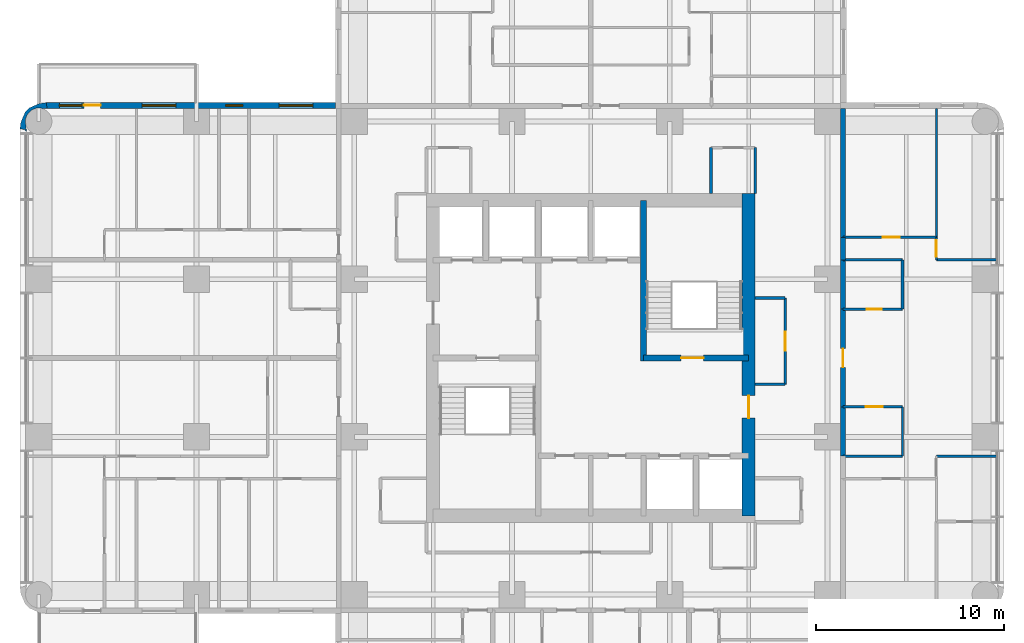
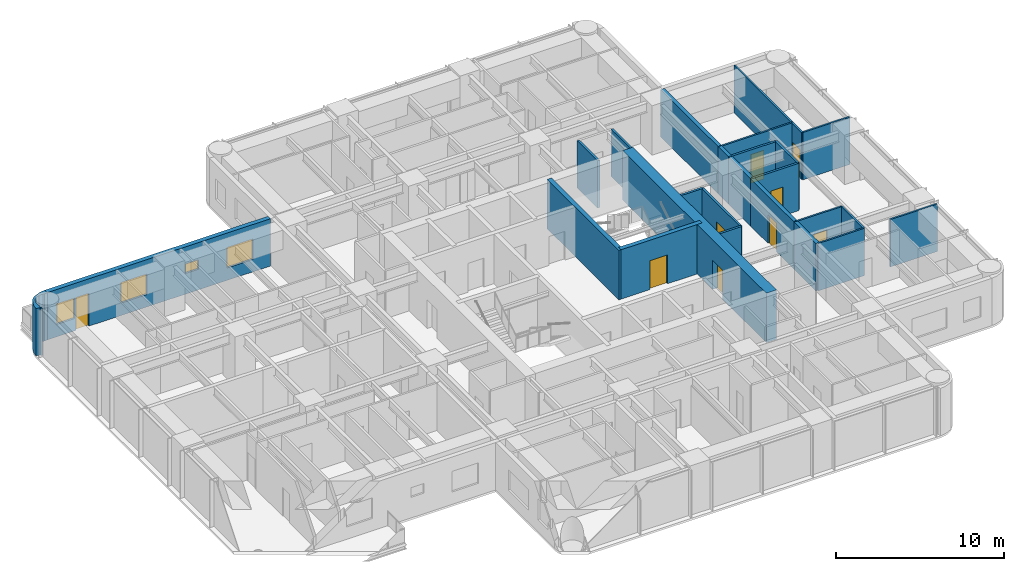
# One storey, part 8 of 11: 26 walls, 9 doors, 4 windows, 13 openings.
"""IFC4 building model written with IfcOpenShell, lengths in metres."""

from ifc_helpers import new_model, si_unit, direction, frame, frame_2d, origin, place, context, subcontext, project, spatial, polyline, rectangle, outline, extrude, material, layer, layer_set, type_object, element, fill, save


model = new_model("IFC4")

# Units and contexts
model_context = context("Model", 3, precision=1e-05, world=origin(), true_north=direction((0.0, 1.0)))
body_context = subcontext(model_context, "Body", "Model", "MODEL_VIEW")
ifc_project = project(units=[si_unit("LENGTHUNIT", "METRE"), si_unit("AREAUNIT", "SQUARE_METRE"), si_unit("VOLUMEUNIT", "CUBIC_METRE"), si_unit("PLANEANGLEUNIT", "RADIAN"), si_unit("MASSUNIT", "GRAM", prefix="KILO")], contexts=[model_context])

# Site, building, storey
site_placement = place(None, origin())
site = spatial("IfcSite", under=ifc_project, at=site_placement, CompositionType="ELEMENT")
building_placement = place(site_placement, origin())
building = spatial("IfcBuilding", under=site, at=building_placement, Name="Torre Alcanfor", CompositionType="ELEMENT")
storey_placement = place(building_placement, frame((0.0, 0.0, 237.300048828125)))
storey = spatial("IfcBuildingStorey", under=building, at=storey_placement, Name="L62", CompositionType="ELEMENT", Elevation=237.300048828125)

# Wall, opening, door
ifc_material_1 = material(Name="Concrete block masonry, hollow blocks NMX-C-404 9 MPa", Category="masonry")
ifc_layer_1 = layer(ifc_material_1, 0.25)
ifc_layer_set_1 = layer_set([ifc_layer_1], Name="Apartment entrance wall 250 EI 60")
wall_type_1 = type_object("IfcWallType", Name="Apartment entrance wall 250 EI 60", PredefinedType="PARTITIONING", material=ifc_layer_set_1)
wall_1_placement = place(storey_placement, frame((42.824951171875, 32.0, 0.0), z_axis=(0.0, 0.0, 1.0), x_axis=(0.0, -1.0, 0.0)))
wall_1 = element("IfcWall", 1, at=wall_1_placement, inside=storey, type_object=wall_type_1, Name="Partition L62-CORR / L62-EX-ZAG", PredefinedType="PARTITIONING", context=body_context, shape_type="SweptSolid", body=[
    extrude(rectangle(XDim=5.199951171875, YDim=0.25, at=frame_2d((2.60009765625, 0.0))), origin(), (0.0, 0.0, 1.0), 3.449951171875),
])
opening_1_placement = place(wall_1_placement, frame((2.10009765625, 0.0, 0.0)))
opening_1 = element("IfcOpeningElement", 2, at=opening_1_placement, cuts=wall_1, Name="Opening D-A1", PredefinedType="OPENING", context=body_context, shape_type="SweptSolid", body=[
    extrude(rectangle(XDim=1.0, YDim=2.10009765625, at=frame_2d((0.5, 1.050048828125))), frame((0.0, 0.135009765625, 0.0), z_axis=(0.0, -1.0, 0.0), x_axis=(1.0, 0.0, 0.0)), (0.0, 0.0, 1.0), 0.27001953125),
])
ifc_material_2 = material(Name="Galvanised steel sheet ASTM A653", Category="steel")
door_type_1 = type_object("IfcDoorType", Name="Apartment entrance door FD60 1000x2100", OperationType="SINGLE_SWING_LEFT", PredefinedType="DOOR", material=ifc_material_2)
door_1_placement = place(opening_1_placement, origin())
door_1 = element("IfcDoor", 3, at=door_1_placement, inside=storey, type_object=door_type_1, Name="Apartment entrance L62-EX", OperationType="SINGLE_SWING_LEFT", OverallHeight=2.10009765625, OverallWidth=1.0, PredefinedType="DOOR", context=body_context, shape_type="SweptSolid", body=[
    extrude(rectangle(XDim=1.0, YDim=2.10009765625, at=frame_2d((0.5, 1.050048828125))), frame((0.0, 0.02490234375, 0.0), z_axis=(0.0, -1.0, 0.0), x_axis=(1.0, 0.0, 0.0)), (0.0, 0.0, 1.0), 0.050048828125),
])
fill(opening_1, door_1)

# Walls
wall_2_placement = place(storey_placement, frame((42.824951171875, 34.62890625, 0.0), z_axis=(0.0, 0.0, 1.0), x_axis=(0.0, -1.0, 0.0)))
element("IfcWall", 4, at=wall_2_placement, inside=storey, type_object=wall_type_1, Name="Partition L62-CORR / L62-EX-BATH2", PredefinedType="PARTITIONING", context=body_context, shape_type="SweptSolid", body=[
    extrude(rectangle(XDim=2.62890625, YDim=0.25, at=frame_2d((1.314453125, 0.0))), origin(), (0.0, 0.0, 1.0), 3.449951171875),
])
wall_3_placement = place(storey_placement, frame((42.824951171875, 26.800048828125, 0.0), z_axis=(0.0, 0.0, 1.0), x_axis=(0.0, -1.0, 0.0)))
element("IfcWall", 5, at=wall_3_placement, inside=storey, type_object=wall_type_1, Name="Partition L62-CORR / L62-EX-KITCHEN", PredefinedType="PARTITIONING", context=body_context, shape_type="SweptSolid", body=[
    extrude(rectangle(XDim=2.629150390625, YDim=0.25, at=frame_2d((1.314453125, 0.0))), origin(), (0.0, 0.0, 1.0), 3.449951171875),
])
wall_4_placement = place(storey_placement, frame((42.824951171875, 35.8291015625, 0.0), z_axis=(0.0, 0.0, 1.0), x_axis=(0.0, -1.0, 0.0)))
element("IfcWall", 6, at=wall_4_placement, inside=storey, type_object=wall_type_1, Name="Partition L62-CORR / L62-EX-LIVING", PredefinedType="PARTITIONING", context=body_context, shape_type="SweptSolid", body=[
    extrude(rectangle(XDim=1.2001953125, YDim=0.25, at=frame_2d((0.60009765625, 0.0))), origin(), (0.0, 0.0, 1.0), 3.449951171875),
])
wall_5_placement = place(storey_placement, frame((42.824951171875, 42.699951171875, 0.0), z_axis=(0.0, 0.0, 1.0), x_axis=(0.0, -1.0, 0.0)))
element("IfcWall", 7, at=wall_5_placement, inside=storey, type_object=wall_type_1, Name="Partition L62-CORR / L62-EX-BED2", PredefinedType="PARTITIONING", context=body_context, shape_type="SweptSolid", body=[
    extrude(rectangle(XDim=6.870849609375, YDim=0.25, at=frame_2d((3.435546875, 0.0))), origin(), (0.0, 0.0, 1.0), 3.449951171875),
])

# Wall, opening, door
ifc_material_3 = material(Name="Gypsum board on steel studs", Category="steel")
ifc_layer_2 = layer(ifc_material_3, 0.1201171875)
ifc_layer_set_2 = layer_set([ifc_layer_2], Name="Apartment partition 120")
wall_type_2 = type_object("IfcWallType", Name="Apartment partition 120", PredefinedType="PARTITIONING", material=ifc_layer_set_2)
wall_6_placement = place(storey_placement, frame((42.824951171875, 26.800048828125, 0.0), z_axis=(0.0, 0.0, 1.0), x_axis=(1.0, 0.0, 0.0)))
wall_6 = element("IfcWall", 8, at=wall_6_placement, inside=storey, type_object=wall_type_2, Name="Partition L62-EX-ZAG / L62-EX-KITCHEN", PredefinedType="PARTITIONING", context=body_context, shape_type="SweptSolid", body=[
    extrude(rectangle(XDim=3.175048828125, YDim=0.1201171875, at=frame_2d((1.58740234375, 0.0))), origin(), (0.0, 0.0, 1.0), 3.449951171875),
])
opening_2_placement = place(wall_6_placement, frame((1.22509765625, 0.0, 0.0)))
opening_2 = element("IfcOpeningElement", 9, at=opening_2_placement, cuts=wall_6, Name="Opening D-R1", PredefinedType="OPENING", context=body_context, shape_type="SweptSolid", body=[
    extrude(rectangle(XDim=0.89990234375, YDim=2.10009765625, at=frame_2d((0.449951171875, 1.050048828125))), frame((0.0, 0.070068359375, 0.0), z_axis=(0.0, -1.0, 0.0), x_axis=(1.0, 0.0, 0.0)), (0.0, 0.0, 1.0), 0.14013671875),
])
ifc_material_4 = material(Name="Timber", Category="wood")
door_type_2 = type_object("IfcDoorType", Name="Internal door 900x2100", OperationType="SINGLE_SWING_LEFT", PredefinedType="DOOR", material=ifc_material_4)
door_2_placement = place(opening_2_placement, frame((0.89990234375, 0.0, 0.0), z_axis=(0.0, 0.0, 1.0), x_axis=(-1.0, 0.0, 0.0)))
door_2 = element("IfcDoor", 10, at=door_2_placement, inside=storey, type_object=door_type_2, Name="Door L62-EX kitchen", OperationType="SINGLE_SWING_LEFT", OverallHeight=2.10009765625, OverallWidth=0.89990234375, PredefinedType="DOOR", context=body_context, shape_type="SweptSolid", body=[
    extrude(rectangle(XDim=0.89990234375, YDim=2.10009765625, at=frame_2d((0.449951171875, 1.050048828125))), frame((0.0, 0.025146484375, 0.0), z_axis=(0.0, -1.0, 0.0), x_axis=(1.0, 0.0, 0.0)), (0.0, 0.0, 1.0), 0.050048828125),
])
fill(opening_2, door_2)

# Walls
wall_7_placement = place(storey_placement, frame((42.824951171875, 24.1708984375, 0.0), z_axis=(0.0, 0.0, 1.0), x_axis=(1.0, 0.0, 0.0)))
element("IfcWall", 11, at=wall_7_placement, inside=storey, type_object=wall_type_2, Name="Partition L62-EX-KITCHEN / L62-EX-LIVING", PredefinedType="PARTITIONING", context=body_context, shape_type="SweptSolid", body=[
    extrude(rectangle(XDim=3.175048828125, YDim=0.1201171875, at=frame_2d((1.58740234375, 0.0))), origin(), (0.0, 0.0, 1.0), 3.449951171875),
])
wall_8_placement = place(storey_placement, frame((46.0, 24.1708984375, 0.0), z_axis=(0.0, 0.0, 1.0), x_axis=(0.0, 1.0, 0.0)))
element("IfcWall", 12, at=wall_8_placement, inside=storey, type_object=wall_type_2, Name="Partition L62-EX-KITCHEN / L62-EX-LIVING", PredefinedType="PARTITIONING", context=body_context, shape_type="SweptSolid", body=[
    extrude(rectangle(XDim=2.629150390625, YDim=0.1201171875, at=frame_2d((1.314453125, 0.0))), origin(), (0.0, 0.0, 1.0), 3.449951171875),
])

# Wall, opening, door
wall_9_placement = place(storey_placement, frame((42.824951171875, 35.8291015625, 0.0), z_axis=(0.0, 0.0, 1.0), x_axis=(1.0, 0.0, 0.0)))
wall_9 = element("IfcWall", 13, at=wall_9_placement, inside=storey, type_object=wall_type_2, Name="Partition L62-EX-LIVING / L62-EX-BED2", PredefinedType="PARTITIONING", context=body_context, shape_type="SweptSolid", body=[
    extrude(rectangle(XDim=4.97509765625, YDim=0.1201171875, at=frame_2d((2.487548828125, 0.0))), origin(), (0.0, 0.0, 1.0), 3.449951171875),
])
opening_3_placement = place(wall_9_placement, frame((2.125, 0.0, 0.0)))
opening_3 = element("IfcOpeningElement", 14, at=opening_3_placement, cuts=wall_9, Name="Opening D-R1", PredefinedType="OPENING", context=body_context, shape_type="SweptSolid", body=[
    extrude(rectangle(XDim=0.89990234375, YDim=2.10009765625, at=frame_2d((0.449951171875, 1.050048828125))), frame((0.0, 0.070068359375, 0.0), z_axis=(0.0, -1.0, 0.0), x_axis=(1.0, 0.0, 0.0)), (0.0, 0.0, 1.0), 0.14013671875),
])
door_3_placement = place(opening_3_placement, origin())
door_3 = element("IfcDoor", 15, at=door_3_placement, inside=storey, type_object=door_type_2, Name="Door L62-EX bed2", OperationType="SINGLE_SWING_RIGHT", OverallHeight=2.10009765625, OverallWidth=0.89990234375, PredefinedType="DOOR", context=body_context, shape_type="SweptSolid", body=[
    extrude(rectangle(XDim=0.89990234375, YDim=2.10009765625, at=frame_2d((0.449951171875, 1.050048828125))), frame((0.0, 0.02490234375, 0.0), z_axis=(0.0, -1.0, 0.0), x_axis=(1.0, 0.0, 0.0)), (0.0, 0.0, 1.0), 0.050048828125),
])
fill(opening_3, door_3)

wall_10_placement = place(storey_placement, frame((47.800048828125, 35.8291015625, 0.0), z_axis=(0.0, 0.0, 1.0), x_axis=(0.0, -1.0, 0.0)))
wall_10 = element("IfcWall", 16, at=wall_10_placement, inside=storey, type_object=wall_type_2, Name="Partition L62-EX-LIVING / L62-EX-MASTER", PredefinedType="PARTITIONING", context=body_context, shape_type="SweptSolid", body=[
    extrude(rectangle(XDim=1.2001953125, YDim=0.1201171875, at=frame_2d((0.60009765625, 0.0))), origin(), (0.0, 0.0, 1.0), 3.449951171875),
])
opening_4_placement = place(wall_10_placement, frame((0.14892578125, 0.0, 0.0)))
opening_4 = element("IfcOpeningElement", 17, at=opening_4_placement, cuts=wall_10, Name="Opening D-R1", PredefinedType="OPENING", context=body_context, shape_type="SweptSolid", body=[
    extrude(rectangle(XDim=0.89990234375, YDim=2.10009765625, at=frame_2d((0.449951171875, 1.050048828125))), frame((0.0, 0.070068359375, 0.0), z_axis=(0.0, -1.0, 0.0), x_axis=(1.0, 0.0, 0.0)), (0.0, 0.0, 1.0), 0.14013671875),
])
door_4_placement = place(opening_4_placement, origin())
door_4 = element("IfcDoor", 18, at=door_4_placement, inside=storey, type_object=door_type_2, Name="Door L62-EX master", OperationType="SINGLE_SWING_RIGHT", OverallHeight=2.10009765625, OverallWidth=0.89990234375, PredefinedType="DOOR", context=body_context, shape_type="SweptSolid", body=[
    extrude(rectangle(XDim=0.89990234375, YDim=2.10009765625, at=frame_2d((0.449951171875, 1.050048828125))), frame((0.0, 0.02490234375, 0.0), z_axis=(0.0, -1.0, 0.0), x_axis=(1.0, 0.0, 0.0)), (0.0, 0.0, 1.0), 0.050048828125),
])
fill(opening_4, door_4)

# Walls
for number, where, z_axis, x_axis, name in (
    (19, (47.800048828125, 34.62890625, 0.0), (0.0, 0.0, 1.0), (1.0, 0.0, 0.0), "Partition L62-EX-LIVING / L62-EX-MASTER"),
    (20, (51.050048828125, 24.1708984375, 0.0), (0.0, 0.0, 1.0), (-1.0, 0.0, 0.0), "Partition L62-EX-LIVING / L62-EX-BED1"),
):
    element("IfcWall", number, at=place(storey_placement, frame(where, z_axis=z_axis, x_axis=x_axis)), inside=storey, type_object=wall_type_2, Name=name, PredefinedType="PARTITIONING", context=body_context, shape_type="SweptSolid", body=[
        extrude(rectangle(XDim=3.25, YDim=0.1201171875, at=frame_2d((1.625, 0.0))), origin(), (0.0, 0.0, 1.0), 3.449951171875),
    ])
wall_11_placement = place(storey_placement, frame((47.800048828125, 35.8291015625, 0.0), z_axis=(0.0, 0.0, 1.0), x_axis=(0.0, 1.0, 0.0)))
element("IfcWall", 21, at=wall_11_placement, inside=storey, type_object=wall_type_2, Name="Partition L62-EX-BED2 / L62-EX-MASTER", PredefinedType="PARTITIONING", context=body_context, shape_type="SweptSolid", body=[
    extrude(rectangle(XDim=6.870849609375, YDim=0.1201171875, at=frame_2d((3.435546875, 0.0))), origin(), (0.0, 0.0, 1.0), 3.449951171875),
])
ifc_material_5 = material(Name="Concrete f'c 70 MPa", Category="concrete")
ifc_layer_3 = layer(ifc_material_5, 0.300048828125)
ifc_layer_set_3 = layer_set([ifc_layer_3], Name="Core inner wall 300 f'c70")
wall_type_3 = type_object("IfcWallType", Name="Core inner wall 300 f'c70", PredefinedType="SHEAR", material=ifc_layer_set_3)
wall_12_placement = place(storey_placement, frame((32.199951171875, 29.25, 0.0), z_axis=(0.0, 0.0, 1.0), x_axis=(0.0, 1.0, 0.0)))
element("IfcWall", 22, at=wall_12_placement, inside=storey, type_object=wall_type_3, Name="Core wall X322N L62", PredefinedType="SHEAR", context=body_context, shape_type="SweptSolid", body=[
    extrude(rectangle(XDim=8.550048828125, YDim=0.300048828125, at=frame_2d((4.27490234375, 0.0))), origin(), (0.0, 0.0, 1.0), 3.599853515625),
])

# Wall, opening, door
wall_13_placement = place(storey_placement, frame((32.199951171875, 29.39990234375, 0.0), z_axis=(0.0, 0.0, 1.0), x_axis=(1.0, 0.0, 0.0)))
wall_13 = element("IfcWall", 23, at=wall_13_placement, inside=storey, type_object=wall_type_3, Name="Core wall Y294E L62", PredefinedType="SHEAR", context=body_context, shape_type="SweptSolid", body=[
    extrude(rectangle(XDim=5.60009765625, YDim=0.300048828125, at=frame_2d((2.800048828125, 0.0))), origin(), (0.0, 0.0, 1.0), 3.599853515625),
])
opening_5_placement = place(wall_13_placement, frame((2.0, 0.0, 0.0)))
opening_5 = element("IfcOpeningElement", 24, at=opening_5_placement, cuts=wall_13, Name="Opening D-S2", PredefinedType="OPENING", context=body_context, shape_type="SweptSolid", body=[
    extrude(rectangle(XDim=1.199951171875, YDim=2.10009765625, at=frame_2d((0.60009765625, 1.050048828125))), frame((0.0, 0.159912109375, 0.0), z_axis=(0.0, -1.0, 0.0), x_axis=(1.0, 0.0, 0.0)), (0.0, 0.0, 1.0), 0.320068359375),
])
ifc_material_6 = material(Name="Galvanised steel sheet ASTM A653", Category="steel")
door_type_3 = type_object("IfcDoorType", Name="Stair enclosure door FD120 1200x2100", OperationType="SINGLE_SWING_LEFT", PredefinedType="DOOR", material=ifc_material_6)
door_5_placement = place(opening_5_placement, origin())
door_5 = element("IfcDoor", 25, at=door_5_placement, inside=storey, type_object=door_type_3, Name="Stair S2 door L62", OperationType="SINGLE_SWING_LEFT", OverallHeight=2.10009765625, OverallWidth=1.199951171875, PredefinedType="DOOR", context=body_context, shape_type="SweptSolid", body=[
    extrude(rectangle(XDim=1.199951171875, YDim=2.10009765625, at=frame_2d((0.60009765625, 1.050048828125))), frame((0.0, 0.02490234375, 0.0), z_axis=(0.0, -1.0, 0.0), x_axis=(1.0, 0.0, 0.0)), (0.0, 0.0, 1.0), 0.050048828125),
])
fill(opening_5, door_5)

ifc_material_7 = material(Name="Concrete f'c 70 MPa", Category="concrete")
ifc_layer_4 = layer(ifc_material_7, 0.699951171875)
ifc_layer_set_4 = layer_set([ifc_layer_4], Name="Core wall 700 f'c70")
wall_type_4 = type_object("IfcWallType", Name="Core wall 700 f'c70", PredefinedType="SHEAR", material=ifc_layer_set_4)
wall_14_placement = place(storey_placement, frame((37.800048828125, 21.0, 0.0), z_axis=(0.0, 0.0, 1.0), x_axis=(0.0, 1.0, 0.0)))
wall_14 = element("IfcWall", 26, at=wall_14_placement, inside=storey, type_object=wall_type_4, Name="Core wall OUT-E L62", PredefinedType="SHEAR", context=body_context, shape_type="SweptSolid", body=[
    extrude(rectangle(XDim=17.14990234375, YDim=0.699951171875, at=frame_2d((8.574951171875, 0.0))), origin(), (0.0, 0.0, 1.0), 3.599853515625),
])
opening_6_placement = place(wall_14_placement, frame((5.199951171875, 0.0, 0.0)))
opening_6 = element("IfcOpeningElement", 27, at=opening_6_placement, cuts=wall_14, Name="Opening D-L1", PredefinedType="OPENING", context=body_context, shape_type="SweptSolid", body=[
    extrude(rectangle(XDim=1.199951171875, YDim=2.10009765625, at=frame_2d((0.60009765625, 1.050048828125))), frame((0.0, 0.35986328125, 0.0), z_axis=(0.0, -1.0, 0.0), x_axis=(1.0, 0.0, 0.0)), (0.0, 0.0, 1.0), 0.719970703125),
])
ifc_material_8 = material(Name="Galvanised steel sheet ASTM A653", Category="steel")
door_type_4 = type_object("IfcDoorType", Name="Lobby door FD120 1200x2100", OperationType="SINGLE_SWING_LEFT", PredefinedType="DOOR", material=ifc_material_8)
door_6_placement = place(opening_6_placement, origin())
door_6 = element("IfcDoor", 28, at=door_6_placement, inside=storey, type_object=door_type_4, Name="Lift lobby entrance door L62", OperationType="SINGLE_SWING_LEFT", OverallHeight=2.10009765625, OverallWidth=1.199951171875, PredefinedType="DOOR", context=body_context, shape_type="SweptSolid", body=[
    extrude(rectangle(XDim=1.199951171875, YDim=2.10009765625, at=frame_2d((0.60009765625, 1.050048828125))), frame((0.0, 0.02490234375, 0.0), z_axis=(0.0, -1.0, 0.0), x_axis=(1.0, 0.0, 0.0)), (0.0, 0.0, 1.0), 0.050048828125),
])
fill(opening_6, door_6)

# Wall, openings, door, windows
ifc_material_9 = material(Name="Limestone cladding", Category="masonry")
ifc_layer_5 = layer(ifc_material_9, 0.0400390625, Name="Facing")
ifc_material_10 = material(Name="Ventilated air cavity")
ifc_layer_6 = layer(ifc_material_10, 0.02001953125, ventilated=True, Name="Ventilated joint")
ifc_material_11 = material(Name="Mineral wool insulation", Category="insulation")
ifc_layer_7 = layer(ifc_material_11, 0.10009765625, Name="Insulation")
ifc_material_12 = material(Name="Concrete f'c 35 MPa", Category="concrete")
ifc_layer_8 = layer(ifc_material_12, 0.139892578125, Name="Backing")
ifc_layer_set_5 = layer_set([ifc_layer_5, ifc_layer_6, ifc_layer_7, ifc_layer_8], Name="External wall stone-clad 300")
wall_type_5 = type_object("IfcWallType", Name="External wall stone-clad 300", PredefinedType="SOLIDWALL", material=ifc_layer_set_5)
wall_15_placement = place(storey_placement, frame((15.800048828125, 42.85009765625, 0.0), z_axis=(0.0, 0.0, 1.0), x_axis=(-1.0, 0.0, 0.0)))
wall_15 = element("IfcWall", 29, at=wall_15_placement, inside=storey, type_object=wall_type_5, Name="External wall L62 1", PredefinedType="SOLIDWALL", context=body_context, shape_type="SweptSolid", body=[
    extrude(rectangle(XDim=15.400146484375, YDim=0.300048828125, at=frame_2d((7.7001953125, 0.0))), origin(), (0.0, 0.0, 1.0), 3.449951171875),
])
opening_7_placement = place(wall_15_placement, frame((1.199951171875, 0.0, 0.89990234375)))
opening_7 = element("IfcOpeningElement", 30, at=opening_7_placement, cuts=wall_15, Name="Opening W2", PredefinedType="OPENING", context=body_context, shape_type="SweptSolid", body=[
    extrude(rectangle(XDim=1.800048828125, YDim=1.5, at=frame_2d((0.89990234375, 0.75))), frame((0.0, 0.159912109375, 0.0), z_axis=(0.0, -1.0, 0.0), x_axis=(1.0, 0.0, 0.0)), (0.0, 0.0, 1.0), 0.320068359375),
])
opening_8_placement = place(wall_15_placement, frame((4.949951171875, 0.0, 1.5)))
opening_8 = element("IfcOpeningElement", 31, at=opening_8_placement, cuts=wall_15, Name="Opening W3", PredefinedType="OPENING", context=body_context, shape_type="SweptSolid", body=[
    extrude(rectangle(XDim=0.89990234375, YDim=0.699951171875, at=frame_2d((0.449951171875, 0.35009765625))), frame((0.0, 0.159912109375, 0.0), z_axis=(0.0, -1.0, 0.0), x_axis=(1.0, 0.0, 0.0)), (0.0, 0.0, 1.0), 0.320068359375),
])
opening_9_placement = place(wall_15_placement, frame((8.5, 0.0, 0.89990234375)))
opening_9 = element("IfcOpeningElement", 32, at=opening_9_placement, cuts=wall_15, Name="Opening W2", PredefinedType="OPENING", context=body_context, shape_type="SweptSolid", body=[
    extrude(rectangle(XDim=1.800048828125, YDim=1.5, at=frame_2d((0.89990234375, 0.75))), frame((0.0, 0.159912109375, 0.0), z_axis=(0.0, -1.0, 0.0), x_axis=(1.0, 0.0, 0.0)), (0.0, 0.0, 1.0), 0.320068359375),
])
opening_10_placement = place(wall_15_placement, frame((12.5, 0.0, 0.0)))
opening_10 = element("IfcOpeningElement", 33, at=opening_10_placement, cuts=wall_15, Name="Opening D-B1", PredefinedType="OPENING", context=body_context, shape_type="SweptSolid", body=[
    extrude(rectangle(XDim=0.89990234375, YDim=2.39990234375, at=frame_2d((0.449951171875, 1.199951171875))), frame((0.0, 0.159912109375, 0.0), z_axis=(0.0, -1.0, 0.0), x_axis=(1.0, 0.0, 0.0)), (0.0, 0.0, 1.0), 0.320068359375),
])
opening_11_placement = place(wall_15_placement, frame((13.5, 0.0, 0.89990234375)))
opening_11 = element("IfcOpeningElement", 34, at=opening_11_placement, cuts=wall_15, Name="Opening W4", PredefinedType="OPENING", context=body_context, shape_type="SweptSolid", body=[
    extrude(rectangle(XDim=1.199951171875, YDim=1.5, at=frame_2d((0.60009765625, 0.75))), frame((0.0, 0.159912109375, 0.0), z_axis=(0.0, -1.0, 0.0), x_axis=(1.0, 0.0, 0.0)), (0.0, 0.0, 1.0), 0.320068359375),
])
ifc_material_13 = material(Name="Aluminium and glass", Category="aluminium")
door_type_5 = type_object("IfcDoorType", Name="Balcony door glazed 900x2400", OperationType="SINGLE_SWING_LEFT", PredefinedType="DOOR", material=ifc_material_13)
door_7_placement = place(opening_10_placement, origin())
door_7 = element("IfcDoor", 35, at=door_7_placement, inside=storey, type_object=door_type_5, Name="Balcony door L62-W2", OperationType="SINGLE_SWING_LEFT", OverallHeight=2.39990234375, OverallWidth=0.89990234375, PredefinedType="DOOR", context=body_context, shape_type="SweptSolid", body=[
    extrude(rectangle(XDim=0.89990234375, YDim=2.39990234375, at=frame_2d((0.449951171875, 1.199951171875))), frame((0.0, 0.02490234375, 0.0), z_axis=(0.0, -1.0, 0.0), x_axis=(1.0, 0.0, 0.0)), (0.0, 0.0, 1.0), 0.050048828125),
])
fill(opening_10, door_7)
ifc_material_14 = material(Name="Aluminium frame with clear double glazing", Category="aluminium")
window_type_1 = type_object("IfcWindowType", Name="Window bathroom 900x700", PartitioningType="SINGLE_PANEL", PredefinedType="WINDOW", material=ifc_material_14)
window_1_placement = place(opening_8_placement, origin())
window_1 = element("IfcWindow", 36, at=window_1_placement, inside=storey, type_object=window_type_1, Name="Window W3 L62-W2", OverallHeight=0.699951171875, OverallWidth=0.89990234375, PartitioningType="SINGLE_PANEL", PredefinedType="WINDOW", context=body_context, shape_type="SweptSolid", body=[
    extrude(rectangle(XDim=0.89990234375, YDim=0.699951171875, at=frame_2d((0.449951171875, 0.35009765625))), frame((0.0, 0.030029296875, 0.0), z_axis=(0.0, -1.0, 0.0), x_axis=(1.0, 0.0, 0.0)), (0.0, 0.0, 1.0), 0.06005859375),
])
fill(opening_8, window_1)
ifc_material_15 = material(Name="Aluminium frame with clear double glazing", Category="aluminium")
window_type_2 = type_object("IfcWindowType", Name="Window bedroom 1200x1500", PartitioningType="SINGLE_PANEL", PredefinedType="WINDOW", material=ifc_material_15)
window_2_placement = place(opening_11_placement, origin())
window_2 = element("IfcWindow", 37, at=window_2_placement, inside=storey, type_object=window_type_2, Name="Window W4 L62-W2", OverallHeight=1.5, OverallWidth=1.199951171875, PartitioningType="SINGLE_PANEL", PredefinedType="WINDOW", context=body_context, shape_type="SweptSolid", body=[
    extrude(rectangle(XDim=1.199951171875, YDim=1.5, at=frame_2d((0.60009765625, 0.75))), frame((0.0, 0.030029296875, 0.0), z_axis=(0.0, -1.0, 0.0), x_axis=(1.0, 0.0, 0.0)), (0.0, 0.0, 1.0), 0.06005859375),
])
fill(opening_11, window_2)
ifc_material_16 = material(Name="Aluminium frame with clear double glazing", Category="aluminium")
window_type_3 = type_object("IfcWindowType", Name="Window bedroom 1800x1500", PartitioningType="SINGLE_PANEL", PredefinedType="WINDOW", material=ifc_material_16)
window_3_placement = place(opening_7_placement, origin())
window_3 = element("IfcWindow", 38, at=window_3_placement, inside=storey, type_object=window_type_3, Name="Window W2 L62-W2", OverallHeight=1.5, OverallWidth=1.800048828125, PartitioningType="SINGLE_PANEL", PredefinedType="WINDOW", context=body_context, shape_type="SweptSolid", body=[
    extrude(rectangle(XDim=1.800048828125, YDim=1.5, at=frame_2d((0.89990234375, 0.75))), frame((0.0, 0.030029296875, 0.0), z_axis=(0.0, -1.0, 0.0), x_axis=(1.0, 0.0, 0.0)), (0.0, 0.0, 1.0), 0.06005859375),
])
fill(opening_7, window_3)
window_4_placement = place(opening_9_placement, origin())
window_4 = element("IfcWindow", 39, at=window_4_placement, inside=storey, type_object=window_type_3, Name="Window W2 L62-W2", OverallHeight=1.5, OverallWidth=1.800048828125, PartitioningType="SINGLE_PANEL", PredefinedType="WINDOW", context=body_context, shape_type="SweptSolid", body=[
    extrude(rectangle(XDim=1.800048828125, YDim=1.5, at=frame_2d((0.89990234375, 0.75))), frame((0.0, 0.030029296875, 0.0), z_axis=(0.0, -1.0, 0.0), x_axis=(1.0, 0.0, 0.0)), (0.0, 0.0, 1.0), 0.06005859375),
])
fill(opening_9, window_4)

# Walls
ifc_material_17 = material(Name="Concrete block masonry, hollow blocks NMX-C-404 9 MPa", Category="masonry")
ifc_layer_9 = layer(ifc_material_17, 0.14990234375)
ifc_layer_set_6 = layer_set([ifc_layer_9], Name="Residents' room partition 150")
wall_type_6 = type_object("IfcWallType", Name="Residents' room partition 150", PredefinedType="PARTITIONING", material=ifc_layer_set_6)
for number, where, z_axis, x_axis, name in (
    (40, (38.14990234375, 38.14990234375, 0.0), (0.0, 0.0, 1.0), (0.0, 1.0, 0.0), "Partition L62-CORR / L62-G02"),
    (41, (35.800048828125, 40.60009765625, 0.0), (0.0, 0.0, 1.0), (0.0, -1.0, 0.0), "Partition L62-CORR / L62-G02"),
):
    element("IfcWall", number, at=place(storey_placement, frame(where, z_axis=z_axis, x_axis=x_axis)), inside=storey, type_object=wall_type_6, Name=name, PredefinedType="PARTITIONING", context=body_context, shape_type="SweptSolid", body=[
        extrude(rectangle(XDim=2.4501953125, YDim=0.14990234375, at=frame_2d((1.22509765625, 0.0))), origin(), (0.0, 0.0, 1.0), 3.449951171875),
    ])
wall_16_placement = place(storey_placement, frame((38.14990234375, 28.0, 0.0), z_axis=(0.0, 0.0, 1.0), x_axis=(1.0, 0.0, 0.0)))
element("IfcWall", 42, at=wall_16_placement, inside=storey, type_object=wall_type_6, Name="Partition L62-CORR / L62-G04", PredefinedType="PARTITIONING", context=body_context, shape_type="SweptSolid", body=[
    extrude(rectangle(XDim=1.60009765625, YDim=0.14990234375, at=frame_2d((0.800048828125, 0.0))), origin(), (0.0, 0.0, 1.0), 3.449951171875),
])

# Wall, opening, door
wall_17_placement = place(storey_placement, frame((39.75, 28.0, 0.0), z_axis=(0.0, 0.0, 1.0), x_axis=(0.0, 1.0, 0.0)))
wall_17 = element("IfcWall", 43, at=wall_17_placement, inside=storey, type_object=wall_type_6, Name="Partition L62-CORR / L62-G04", PredefinedType="PARTITIONING", context=body_context, shape_type="SweptSolid", body=[
    extrude(rectangle(XDim=4.60009765625, YDim=0.14990234375, at=frame_2d((2.300048828125, 0.0))), origin(), (0.0, 0.0, 1.0), 3.449951171875),
])
opening_12_placement = place(wall_17_placement, frame((1.800048828125, 0.0, 0.0)))
opening_12 = element("IfcOpeningElement", 44, at=opening_12_placement, cuts=wall_17, Name="Opening D-M1", PredefinedType="OPENING", context=body_context, shape_type="SweptSolid", body=[
    extrude(rectangle(XDim=1.0, YDim=2.10009765625, at=frame_2d((0.5, 1.050048828125))), frame((0.0, 0.0849609375, 0.0), z_axis=(0.0, -1.0, 0.0), x_axis=(1.0, 0.0, 0.0)), (0.0, 0.0, 1.0), 0.169921875),
])
ifc_material_18 = material(Name="Timber", Category="wood")
door_type_6 = type_object("IfcDoorType", Name="Residents' room door 1000x2100", OperationType="SINGLE_SWING_LEFT", PredefinedType="DOOR", material=ifc_material_18)
door_8_placement = place(opening_12_placement, origin())
door_8 = element("IfcDoor", 45, at=door_8_placement, inside=storey, type_object=door_type_6, Name="Door L62-G04 cleaners' store", OperationType="SINGLE_SWING_LEFT", OverallHeight=2.10009765625, OverallWidth=1.0, PredefinedType="DOOR", context=body_context, shape_type="SweptSolid", body=[
    extrude(rectangle(XDim=1.0, YDim=2.10009765625, at=frame_2d((0.5, 1.050048828125))), frame((0.0, 0.02490234375, 0.0), z_axis=(0.0, -1.0, 0.0), x_axis=(1.0, 0.0, 0.0)), (0.0, 0.0, 1.0), 0.050048828125),
])
fill(opening_12, door_8)

# Walls
wall_18_placement = place(storey_placement, frame((39.75, 32.60009765625, 0.0), z_axis=(0.0, 0.0, 1.0), x_axis=(-1.0, 0.0, 0.0)))
element("IfcWall", 46, at=wall_18_placement, inside=storey, type_object=wall_type_6, Name="Partition L62-CORR / L62-G04", PredefinedType="PARTITIONING", context=body_context, shape_type="SweptSolid", body=[
    extrude(rectangle(XDim=1.60009765625, YDim=0.14990234375, at=frame_2d((0.800048828125, 0.0))), origin(), (0.0, 0.0, 1.0), 3.449951171875),
])
ifc_layer_10 = layer(ifc_material_9, 0.0400390625, Name="Facing")
ifc_layer_11 = layer(ifc_material_10, 0.02001953125, ventilated=True, Name="Ventilated joint")
ifc_layer_12 = layer(ifc_material_11, 0.10009765625, Name="Insulation")
ifc_layer_13 = layer(ifc_material_12, 0.139892578125, Name="Backing")
ifc_layer_set_7 = layer_set([ifc_layer_10, ifc_layer_11, ifc_layer_12, ifc_layer_13], Name="Rounded corner pier stone-clad 300")
wall_type_7 = type_object("IfcWallType", Name="Rounded corner pier stone-clad 300", PredefinedType="SOLIDWALL", material=ifc_layer_set_7)
wall_19_placement = place(storey_placement, frame((0.289684728, 42.724211819, 0.0), z_axis=(0.0, 0.0, 1.0), x_axis=(-0.898030234854, 0.439933741929, 0.0)))
element("IfcWall", 47, at=wall_19_placement, inside=storey, type_object=wall_type_7, Name="Corner pier L62 13", PredefinedType="SOLIDWALL", context=body_context, shape_type="SweptSolid", body=[
    extrude(outline(polyline([(-0.1451696260029872, -0.04410137667948781), (0.022349775089968618, -0.29615457307685267), (0.3267662274453961, -0.09401161193946184), (0.5684395137438579, 0.1801582341686725), (0.5775438768187978, 0.19875519044837203), (0.6998681881563861, 0.337520421761322), (0.8105897526086489, 0.6609052696654318), (0.798987005723323, 0.8455248862565916), (0.8031915983754734, 0.8657994419976891), (0.7802772818432999, 1.230559659021311), (0.6636401292003462, 1.5768643338748296), (0.426274926498842, 1.4970116570996908), (0.3818262033461368, 1.5361339555879763), (0.27609856791259557, 1.5721508582913652), (0.34924184873618547, 1.4228445619203098), (0.3919947529834039, 1.4437886731693554), (0.4531844604451624, 1.2611683721887113), (0.5096660727895201, 1.2113572307370708), (0.632323380719828, 0.9609786838123349), (0.6499334439144826, 0.6825189735513317), (0.5596785928912745, 0.41891132480525434), (0.37509146330548054, 0.2096805523179385), (0.12471291638074464, 0.0870232443876307), (0.04955403003282338, 0.08228360846554762), (-0.12741072731568104, -0.035401515083730434), (-0.1451696260029872, -0.04410137667948781)])), origin(), (0.0, 0.0, 1.0), 3.449951171875),
])

# Wall, opening, door
ifc_material_19 = material(Name="Cement board on steel studs", Category="steel")
ifc_layer_14 = layer(ifc_material_19, 0.14990234375)
ifc_layer_set_8 = layer_set([ifc_layer_14], Name="Wet area partition 150")
wall_type_8 = type_object("IfcWallType", Name="Wet area partition 150", PredefinedType="PARTITIONING", material=ifc_layer_set_8)
wall_20_placement = place(storey_placement, frame((46.0, 32.0, 0.0), z_axis=(0.0, 0.0, 1.0), x_axis=(-1.0, 0.0, 0.0)))
wall_20 = element("IfcWall", 48, at=wall_20_placement, inside=storey, type_object=wall_type_8, Name="Partition L62-EX-ZAG / L62-EX-BATH2", PredefinedType="PARTITIONING", context=body_context, shape_type="SweptSolid", body=[
    extrude(rectangle(XDim=3.175048828125, YDim=0.14990234375, at=frame_2d((1.58740234375, 0.0))), origin(), (0.0, 0.0, 1.0), 3.449951171875),
])
opening_13_placement = place(wall_20_placement, frame((1.10009765625, 0.0, 0.0)))
opening_13 = element("IfcOpeningElement", 49, at=opening_13_placement, cuts=wall_20, Name="Opening D-R2", PredefinedType="OPENING", context=body_context, shape_type="SweptSolid", body=[
    extrude(rectangle(XDim=0.800048828125, YDim=2.10009765625, at=frame_2d((0.39990234375, 1.050048828125))), frame((0.0, 0.0849609375, 0.0), z_axis=(0.0, -1.0, 0.0), x_axis=(1.0, 0.0, 0.0)), (0.0, 0.0, 1.0), 0.169921875),
])
ifc_material_20 = material(Name="Timber", Category="wood")
door_type_7 = type_object("IfcDoorType", Name="Bathroom door 800x2100", OperationType="SINGLE_SWING_LEFT", PredefinedType="DOOR", material=ifc_material_20)
door_9_placement = place(opening_13_placement, frame((0.800048828125, 0.0, 0.0), z_axis=(0.0, 0.0, 1.0), x_axis=(-1.0, 0.0, 0.0)))
door_9 = element("IfcDoor", 50, at=door_9_placement, inside=storey, type_object=door_type_7, Name="Door L62-EX bath2", OperationType="SINGLE_SWING_RIGHT", OverallHeight=2.10009765625, OverallWidth=0.800048828125, PredefinedType="DOOR", context=body_context, shape_type="SweptSolid", body=[
    extrude(rectangle(XDim=0.800048828125, YDim=2.10009765625, at=frame_2d((0.400146484375, 1.050048828125))), frame((0.0, 0.025146484375, 0.0), z_axis=(0.0, -1.0, 0.0), x_axis=(1.0, 0.0, 0.0)), (0.0, 0.0, 1.0), 0.050048828125),
])
fill(opening_13, door_9)

# Walls
wall_21_placement = place(storey_placement, frame((46.0, 32.0, 0.0), z_axis=(0.0, 0.0, 1.0), x_axis=(0.0, 1.0, 0.0)))
element("IfcWall", 51, at=wall_21_placement, inside=storey, type_object=wall_type_8, Name="Partition L62-EX-BATH2 / L62-EX-LIVING", PredefinedType="PARTITIONING", context=body_context, shape_type="SweptSolid", body=[
    extrude(rectangle(XDim=2.62890625, YDim=0.14990234375, at=frame_2d((1.314453125, 0.0))), origin(), (0.0, 0.0, 1.0), 3.449951171875),
])
wall_22_placement = place(storey_placement, frame((46.0, 34.62890625, 0.0), z_axis=(0.0, 0.0, 1.0), x_axis=(-1.0, 0.0, 0.0)))
element("IfcWall", 52, at=wall_22_placement, inside=storey, type_object=wall_type_8, Name="Partition L62-EX-BATH2 / L62-EX-LIVING", PredefinedType="PARTITIONING", context=body_context, shape_type="SweptSolid", body=[
    extrude(rectangle(XDim=3.175048828125, YDim=0.14990234375, at=frame_2d((1.58740234375, 0.0))), origin(), (0.0, 0.0, 1.0), 3.449951171875),
])

save(model, "model.ifc")
